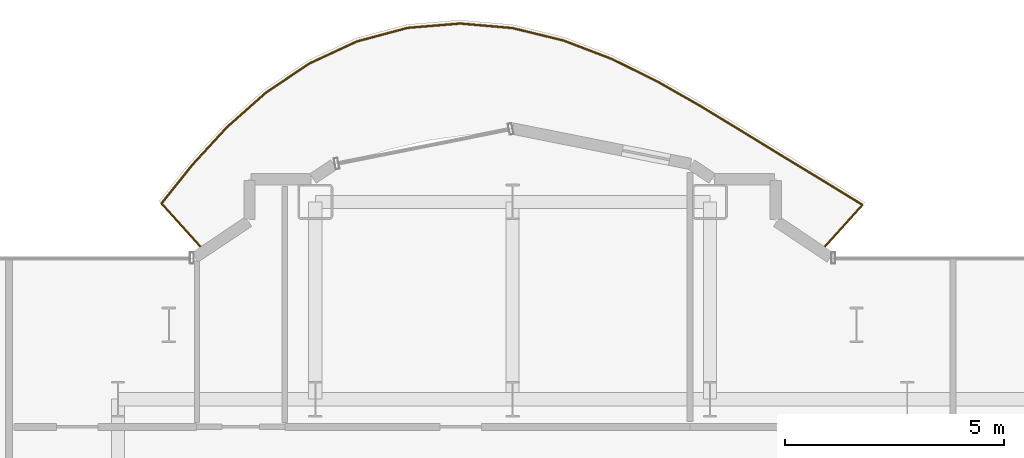
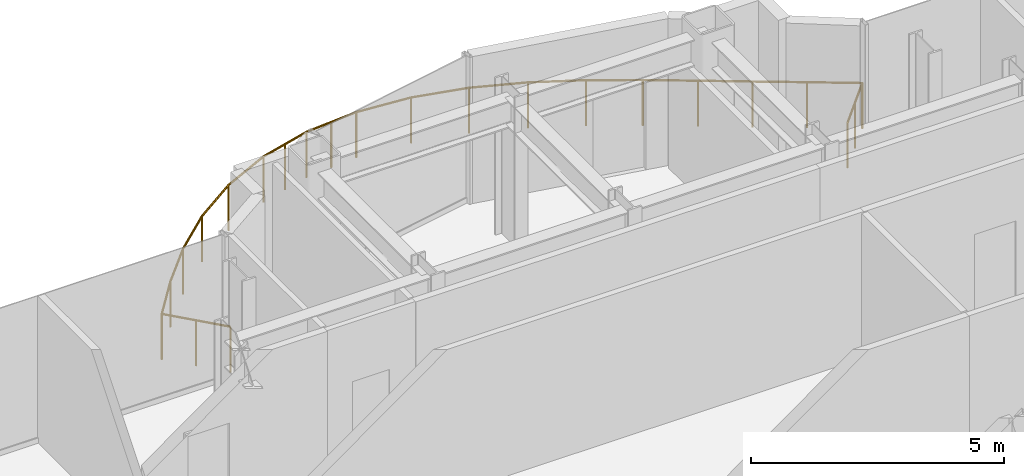
# One storey, part 22 of 22: 1 railing.
"""IFC4 building model written with IfcOpenShell, lengths in metres."""

import ifcopenshell
import ifcopenshell.guid

model = None  # the IFC model being written
_history = None  # IfcOwnerHistory: only IFC2X3 demands one
_inside = {}  # id of a spatial element -> (the spatial element, [elements in it])
_under = {}  # id of a project, library or spatial element -> (it, [spatial elements below it])
_declared = {}  # id of a project -> (the project, [libraries it declares])
_typed = {}  # id of a type object -> (the type object, [elements of that type])
_made_of = {}  # id of a material, layer set ... -> (it, [elements and type objects made of it])


def new_model(schema):
    """Start an empty IFC model of exactly this schema.

    Asked for "IFC4X3", IfcOpenShell would pick the latest addendum, in which some entities
    have other attributes; the version numbers below select the first issue.
    IFC2X3 requires an IfcOwnerHistory on every rooted entity: one is made here for all.
    """
    global model, _history
    if schema == "IFC4X3":
        model = ifcopenshell.file(schema_version=(4, 3, 0, 0))
    else:
        model = ifcopenshell.file(schema=schema)
    _inside.clear()
    _under.clear()
    _declared.clear()
    _typed.clear()
    _made_of.clear()
    _history = None
    if model.schema == "IFC2X3":
        org = make("IfcOrganization", Name="unknown")
        user = make(
            "IfcPersonAndOrganization",
            ThePerson=make("IfcPerson", FamilyName="unknown"),
            TheOrganization=org,
        )
        app = make(
            "IfcApplication",
            ApplicationDeveloper=org,
            Version="unknown",
            ApplicationFullName="unknown",
            ApplicationIdentifier="unknown",
        )
        _history = make(
            "IfcOwnerHistory",
            OwningUser=user,
            OwningApplication=app,
            ChangeAction="ADDED",
            CreationDate=0,
        )
    return model


def make(cls, **values):
    """One entity of the class cls with the attributes given. An attribute that is None is left unset."""
    return model.create_entity(
        cls, **{name: value for name, value in values.items() if value is not None}
    )


def rooted(cls, **values):
    """An entity with a GlobalId (a new one), such as an element, a storey or a relation."""
    return make(cls, GlobalId=ifcopenshell.guid.new(), OwnerHistory=_history, **values)


def si_unit(unit_type, name, prefix=None):
    """IfcSIUnit, for example si_unit("LENGTHUNIT", "METRE", prefix="MILLI")."""
    return make("IfcSIUnit", UnitType=unit_type, Prefix=prefix, Name=name)


def assignment(units):
    """IfcUnitAssignment: the units of a project."""
    return None if units is None else make("IfcUnitAssignment", Units=units)


def point(xyz):
    """IfcCartesianPoint."""
    return None if xyz is None else make("IfcCartesianPoint", Coordinates=xyz)


def direction(xyz):
    """IfcDirection."""
    return None if xyz is None else make("IfcDirection", DirectionRatios=xyz)


def frame(location, z_axis=None, x_axis=None):
    """IfcAxis2Placement3D, a coordinate frame: its origin and axes. An axis left out is left unset."""
    return make(
        "IfcAxis2Placement3D",
        Location=point(location),
        Axis=direction(z_axis),
        RefDirection=direction(x_axis),
    )


def frame_2d(location, x_axis=None):
    """IfcAxis2Placement2D, a coordinate frame in the plane: its origin and x axis."""
    return make(
        "IfcAxis2Placement2D", Location=point(location), RefDirection=direction(x_axis)
    )


def origin():
    """The frame at (0, 0, 0) with its axes left unset."""
    return frame((0.0, 0.0, 0.0))


def origin_2d():
    """The frame at (0, 0) in the plane with its x axis left unset."""
    return frame_2d((0.0, 0.0))


def place(relative_to, where):
    """IfcLocalPlacement: puts the frame where relative to a parent placement (None: the world)."""
    return make(
        "IfcLocalPlacement", PlacementRelTo=relative_to, RelativePlacement=where
    )


def context(
    kind, dimensions, precision=None, world=None, true_north=None, identifier=None
):
    """IfcGeometricRepresentationContext, for example the 3D "Model" context."""
    return make(
        "IfcGeometricRepresentationContext",
        ContextIdentifier=identifier,
        ContextType=kind,
        CoordinateSpaceDimension=dimensions,
        Precision=precision,
        WorldCoordinateSystem=world,
        TrueNorth=true_north,
    )


def subcontext(parent, identifier, kind, view, scale=None):
    """IfcGeometricRepresentationSubContext, for example "Body" below "Model"."""
    return make(
        "IfcGeometricRepresentationSubContext",
        ContextIdentifier=identifier,
        ContextType=kind,
        ParentContext=parent,
        TargetScale=scale,
        TargetView=view,
    )


def project(units=None, contexts=None):
    """IfcProject with its units and contexts."""
    return rooted(
        "IfcProject",
        Name="project",
        RepresentationContexts=contexts,
        UnitsInContext=assignment(units),
    )


def spatial(cls, under=None, at=None, **own):
    """A site, building, storey or space (cls), placed at a placement, below another one or the project."""
    s = rooted(cls, ObjectPlacement=at, **own)
    if under is not None:
        _under.setdefault(under.id(), (under, []))[1].append(s)
    return s


def profile(cls, at=None, kind="AREA", **sizes):
    """A parametric profile (cls). Its sizes go by their IFC names, for example OverallWidth=200.0."""
    return make(cls, ProfileType=kind, Position=at, **sizes)


def circle(**sizes):
    """IfcCircleProfileDef."""
    return profile("IfcCircleProfileDef", **sizes)


def extrude(swept, where, along, depth):
    """IfcExtrudedAreaSolid: the profile swept, set in the frame where, extruded along a direction by depth."""
    return make(
        "IfcExtrudedAreaSolid",
        SweptArea=swept,
        Position=where,
        ExtrudedDirection=direction(along),
        Depth=depth,
    )


def shape(context_of_items, identifier, shape_type, items):
    """IfcShapeRepresentation: the items that make up one representation, for example the "Body"."""
    return make(
        "IfcShapeRepresentation",
        ContextOfItems=context_of_items,
        RepresentationIdentifier=identifier,
        RepresentationType=shape_type,
        Items=items,
    )


def material(Name=None, Category=None):
    """IfcMaterial."""
    return make("IfcMaterial", Name=Name, Category=Category)


def made_of(thing, what):
    """Note that an element or type object is made of a material, layer set ...; save() writes the relation."""
    if what is not None:
        _made_of.setdefault(what.id(), (what, []))[1].append(thing)
    return thing


def type_object(cls, material=None, **own):
    """A type object (cls), such as IfcWallType, which elements share."""
    return made_of(rooted(cls, **own), material)


def element(
    cls,
    number,
    at=None,
    inside=None,
    cuts=None,
    type_object=None,
    material=None,
    context=None,
    identifier="Body",
    shape_type=None,
    held_by="IfcProductDefinitionShape",
    body=None,
    shapes=None,
    **own,
):
    """One element of the class cls, such as IfcWall. Its Tag is "e" and its number.

    at: its placement. inside: the storey or other place that contains it. cuts: it is an
    opening in that element (IfcRelVoidsElement). A single representation is given by context,
    identifier, shape_type and body (its items); several are given by shapes. held_by: the class
    of the entity that holds the representations. save() writes the other relations.
    """
    e = rooted(cls, Tag="e%d" % number, ObjectPlacement=at, **own)
    if body is not None:
        shapes = [shape(context, identifier, shape_type, body)]
    if shapes is not None:
        e.Representation = make(held_by, Representations=shapes)
    if inside is not None:
        _inside.setdefault(inside.id(), (inside, []))[1].append(e)
    if cuts is not None:
        rooted(
            "IfcRelVoidsElement", RelatingBuildingElement=cuts, RelatedOpeningElement=e
        )
    if type_object is not None:
        _typed.setdefault(type_object.id(), (type_object, []))[1].append(e)
    return made_of(e, material)


def aggregate(whole, parts):
    """IfcRelAggregates: a whole, such as a stair, and the parts it consists of."""
    return rooted("IfcRelAggregates", RelatingObject=whole, RelatedObjects=parts)


def save(model, path):
    """Write the relations noted so far, then the file.

    IfcRelAggregates (storeys below a building ...), IfcRelContainedInSpatialStructure (elements
    in a storey), IfcRelDefinesByType, IfcRelAssociatesMaterial and IfcRelDeclares: one each for
    every whole, place, type object, material and project.
    """
    for whole, parts in _under.values():
        aggregate(whole, parts)
    for where, things in _inside.values():
        rooted(
            "IfcRelContainedInSpatialStructure",
            RelatedElements=things,
            RelatingStructure=where,
        )
    for kind, things in _typed.values():
        rooted("IfcRelDefinesByType", RelatedObjects=things, RelatingType=kind)
    for what, things in _made_of.values():
        rooted("IfcRelAssociatesMaterial", RelatedObjects=things, RelatingMaterial=what)
    for by, libraries in _declared.values():
        rooted("IfcRelDeclares", RelatingContext=by, RelatedDefinitions=libraries)
    model.write(path)


model = new_model("IFC4")

# Units and contexts
model_context = context("Model", 3, precision=1e-05, world=origin(), true_north=direction((0.0, 1.0)))
body_context = subcontext(model_context, "Body", "Model", "MODEL_VIEW")
ifc_project = project(units=[si_unit("LENGTHUNIT", "METRE"), si_unit("AREAUNIT", "SQUARE_METRE"), si_unit("VOLUMEUNIT", "CUBIC_METRE"), si_unit("PLANEANGLEUNIT", "RADIAN"), si_unit("MASSUNIT", "GRAM", prefix="KILO")], contexts=[model_context])

# Site, building, storey
site_placement = place(None, origin())
site = spatial("IfcSite", under=ifc_project, at=site_placement, CompositionType="ELEMENT")
building_placement = place(site_placement, origin())
building = spatial("IfcBuilding", under=site, at=building_placement, Name="Nefas-Gora Pilgrimage Tower", CompositionType="ELEMENT")
storey_placement = place(building_placement, frame((0.0, 0.0, 179.199951171875)))
storey = spatial("IfcBuildingStorey", under=building, at=storey_placement, Name="L44", CompositionType="ELEMENT", Elevation=179.199951171875)

# Railing
ifc_material = material(Name="Laminated safety glass and stainless steel", Category="steel")
railing_type = type_object("IfcRailingType", Name="RLG-BAL-1100", PredefinedType="BALUSTRADE", material=ifc_material)
railing_placement = place(storey_placement, frame((4.802490234375, 21.402587890625, 0.0)))
element("IfcRailing", 1, at=railing_placement, inside=storey, type_object=railing_type, Name="L44 Wave Balcony Balustrade N1", PredefinedType="BALUSTRADE", context=body_context, shape_type="SweptSolid", body=[
    extrude(circle(Radius=0.02392578125, at=origin_2d()), frame((0.0, 0.0, 1.09619140625), z_axis=(0.669217868333, 0.743066245165, 0.0), x_axis=(-0.743066245165, 0.669217868333, 0.0)), (0.0, 0.0, 1.0), 1.38525390625),
    extrude(circle(Radius=0.02392578125, at=origin_2d()), frame((0.927001953125, 1.029296875, 1.09619140625), z_axis=(-0.852658885571, 0.522468013238, 0.0), x_axis=(-0.522468013238, -0.852658885571, 0.0)), (0.0, 0.0, 1.0), 1.095703125),
    extrude(circle(Radius=0.02392578125, at=origin_2d()), frame((-0.00732421875, 1.601806640625, 1.09619140625), z_axis=(-0.855124780813, 0.518422230657, 0.0), x_axis=(-0.518422230657, -0.855124780813, 0.0)), (0.0, 0.0, 1.0), 1.077392578125),
    extrude(circle(Radius=0.02392578125, at=origin_2d()), frame((-0.9287109375, 2.160400390625, 1.09619140625), z_axis=(-0.852777131159, 0.522274989418, 0.0), x_axis=(-0.522274989418, -0.852777131159, 0.0)), (0.0, 0.0, 1.0), 1.076904296875),
    extrude(circle(Radius=0.02392578125, at=origin_2d()), frame((-1.84716796875, 2.722900390625, 1.09619140625), z_axis=(-0.854684994475, 0.519146954358, 0.0), x_axis=(-0.519146954358, -0.854684994475, 0.0)), (0.0, 0.0, 1.0), 1.09423828125),
    extrude(circle(Radius=0.02392578125, at=origin_2d()), frame((-2.782470703125, 3.291015625, 1.09619140625), z_axis=(-0.868857666147, 0.495061971856, 0.0), x_axis=(-0.495061971856, -0.868857666147, 0.0)), (0.0, 0.0, 1.0), 1.123291015625),
    extrude(circle(Radius=0.02392578125, at=origin_2d()), frame((-3.758544921875, 3.84716796875, 1.09619140625), z_axis=(-0.896659173932, 0.442721499142, 0.0), x_axis=(-0.442721499142, -0.896659173932, 0.0)), (0.0, 0.0, 1.0), 1.153564453125),
    extrude(circle(Radius=0.02392578125, at=origin_2d()), frame((-4.79296875, 4.35791015625, 1.09619140625), z_axis=(-0.934122957215, 0.356951398377, 0.0), x_axis=(-0.356951398377, -0.934122957215, 0.0)), (0.0, 0.0, 1.0), 1.178466796875),
    extrude(circle(Radius=0.02392578125, at=origin_2d()), frame((-5.893798828125, 4.778564453125, 1.09619140625), z_axis=(-0.97145249085, 0.237234183922, 0.0), x_axis=(-0.237234183922, -0.97145249085, 0.0)), (0.0, 0.0, 1.0), 1.192626953125),
    extrude(circle(Radius=0.02392578125, at=origin_2d()), frame((-7.052490234375, 5.0615234375, 1.09619140625), z_axis=(-0.99619460159, 0.087156845765, 0.0), x_axis=(-0.087156845765, -0.99619460159, 0.0)), (0.0, 0.0, 1.0), 1.198974609375),
    extrude(circle(Radius=0.02392578125, at=origin_2d()), frame((-8.246826171875, 5.166015625, 1.09619140625), z_axis=(-0.996586307441, -0.082557445587, 0.0), x_axis=(0.082557445587, -0.996586307441, 0.0)), (0.0, 0.0, 1.0), 1.20068359375),
    extrude(circle(Radius=0.02392578125, at=origin_2d()), frame((-9.443359375, 5.06689453125, 1.09619140625), z_axis=(-0.966180913081, -0.257865164763, 0.0), x_axis=(0.257865164763, -0.966180913081, 0.0)), (0.0, 0.0, 1.0), 1.200439453125),
    extrude(circle(Radius=0.02392578125, at=origin_2d()), frame((-10.603271484375, 4.75732421875, 1.09619140625), z_axis=(-0.907111664378, -0.420890043063, 0.0), x_axis=(0.420890043063, -0.907111664378, 0.0)), (0.0, 0.0, 1.0), 1.199462890625),
    extrude(circle(Radius=0.02392578125, at=origin_2d()), frame((-11.69140625, 4.25244140625, 1.09619140625), z_axis=(-0.829780590571, -0.558089752201, 0.0), x_axis=(0.558089752201, -0.829780590571, 0.0)), (0.0, 0.0, 1.0), 1.195068359375),
    extrude(circle(Radius=0.02392578125, at=origin_2d()), frame((-12.68310546875, 3.58544921875, 1.09619140625), z_axis=(-0.748330645695, -0.663325896308, 0.0), x_axis=(0.663325896308, -0.748330645695, 0.0)), (0.0, 0.0, 1.0), 1.183349609375),
    extrude(circle(Radius=0.02392578125, at=origin_2d()), frame((-13.568603515625, 2.800537109375, 1.09619140625), z_axis=(-0.676400344051, -0.736534163883, 0.0), x_axis=(0.736534163883, -0.676400344051, 0.0)), (0.0, 0.0, 1.0), 1.1611328125),
    extrude(circle(Radius=0.02392578125, at=origin_2d()), frame((-14.35400390625, 1.9453125, 1.09619140625), z_axis=(-0.624326656169, -0.781163380092, 0.0), x_axis=(0.781163380092, -0.624326656169, 0.0)), (0.0, 0.0, 1.0), 1.131591796875),
    extrude(circle(Radius=0.02392578125, at=origin_2d()), frame((-15.060546875, 1.061279296875, 1.09619140625), z_axis=(0.669125283262, -0.743149618381, 0.0), x_axis=(0.743149618381, 0.669125283262, 0.0)), (0.0, 0.0, 1.0), 1.427978515625),
    extrude(circle(Radius=0.02099609375, at=origin_2d()), origin(), (0.0, 0.0, 1.0), 1.072021484375),
    extrude(circle(Radius=0.02099609375, at=origin_2d()), frame((0.46337890625, 0.5146484375, 0.0)), (0.0, 0.0, 1.0), 1.072021484375),
    extrude(circle(Radius=0.02099609375, at=origin_2d()), frame((0.927001953125, 1.029296875, 0.0)), (0.0, 0.0, 1.0), 1.072021484375),
    extrude(circle(Radius=0.02099609375, at=origin_2d()), frame((-0.00732421875, 1.601806640625, 0.0)), (0.0, 0.0, 1.0), 1.072021484375),
    extrude(circle(Radius=0.02099609375, at=origin_2d()), frame((-0.9287109375, 2.160400390625, 0.0)), (0.0, 0.0, 1.0), 1.072021484375),
    extrude(circle(Radius=0.02099609375, at=origin_2d()), frame((-1.84716796875, 2.722900390625, 0.0)), (0.0, 0.0, 1.0), 1.072021484375),
    extrude(circle(Radius=0.02099609375, at=origin_2d()), frame((-2.782470703125, 3.291015625, 0.0)), (0.0, 0.0, 1.0), 1.072021484375),
    extrude(circle(Radius=0.02099609375, at=origin_2d()), frame((-3.758544921875, 3.84716796875, 0.0)), (0.0, 0.0, 1.0), 1.072021484375),
    extrude(circle(Radius=0.02099609375, at=origin_2d()), frame((-4.79296875, 4.35791015625, 0.0)), (0.0, 0.0, 1.0), 1.072021484375),
    extrude(circle(Radius=0.02099609375, at=origin_2d()), frame((-5.893798828125, 4.778564453125, 0.0)), (0.0, 0.0, 1.0), 1.072021484375),
    extrude(circle(Radius=0.02099609375, at=origin_2d()), frame((-7.052490234375, 5.0615234375, 0.0)), (0.0, 0.0, 1.0), 1.072021484375),
    extrude(circle(Radius=0.02099609375, at=origin_2d()), frame((-8.246826171875, 5.166015625, 0.0)), (0.0, 0.0, 1.0), 1.072021484375),
    extrude(circle(Radius=0.02099609375, at=origin_2d()), frame((-8.84521484375, 5.116455078125, 0.0)), (0.0, 0.0, 1.0), 1.072021484375),
    extrude(circle(Radius=0.02099609375, at=origin_2d()), frame((-9.443359375, 5.06689453125, 0.0)), (0.0, 0.0, 1.0), 1.072021484375),
    extrude(circle(Radius=0.02099609375, at=origin_2d()), frame((-10.0234375, 4.912109375, 0.0)), (0.0, 0.0, 1.0), 1.072021484375),
    extrude(circle(Radius=0.02099609375, at=origin_2d()), frame((-10.603271484375, 4.75732421875, 0.0)), (0.0, 0.0, 1.0), 1.072021484375),
    extrude(circle(Radius=0.02099609375, at=origin_2d()), frame((-11.69140625, 4.25244140625, 0.0)), (0.0, 0.0, 1.0), 1.072021484375),
    extrude(circle(Radius=0.02099609375, at=origin_2d()), frame((-12.68310546875, 3.58544921875, 0.0)), (0.0, 0.0, 1.0), 1.072021484375),
    extrude(circle(Radius=0.02099609375, at=origin_2d()), frame((-13.568603515625, 2.800537109375, 0.0)), (0.0, 0.0, 1.0), 1.072021484375),
    extrude(circle(Radius=0.02099609375, at=origin_2d()), frame((-14.35400390625, 1.9453125, 0.0)), (0.0, 0.0, 1.0), 1.072021484375),
    extrude(circle(Radius=0.02099609375, at=origin_2d()), frame((-15.060546875, 1.061279296875, 0.0)), (0.0, 0.0, 1.0), 1.072021484375),
    extrude(circle(Radius=0.02099609375, at=origin_2d()), frame((-14.582763671875, 0.53076171875, 0.0)), (0.0, 0.0, 1.0), 1.072021484375),
    extrude(circle(Radius=0.02099609375, at=origin_2d()), frame((-14.10498046875, 0.0, 0.0)), (0.0, 0.0, 1.0), 1.072021484375),
])

save(model, "model.ifc")
